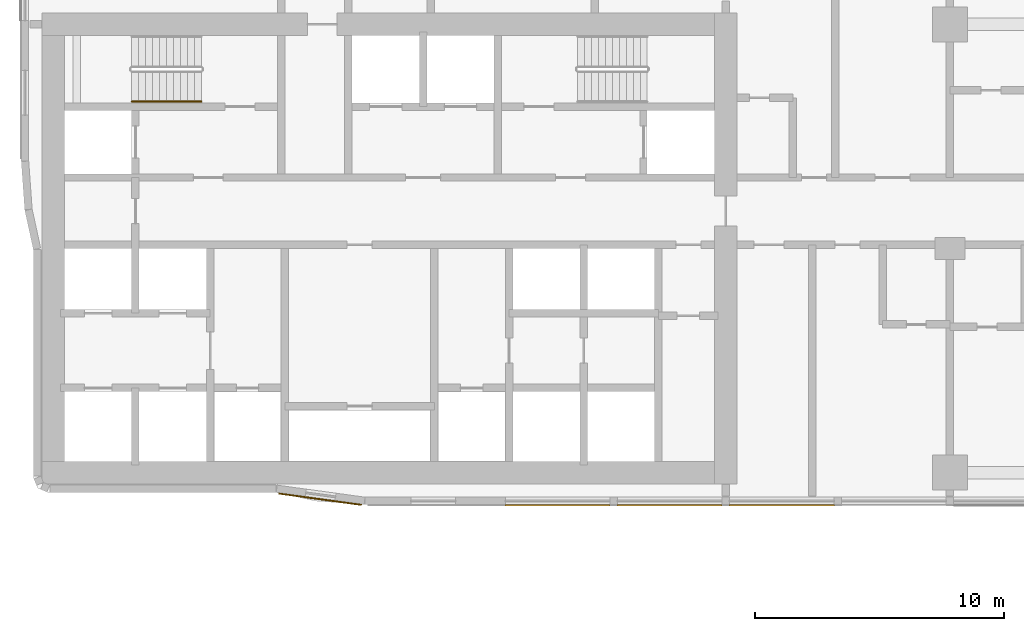
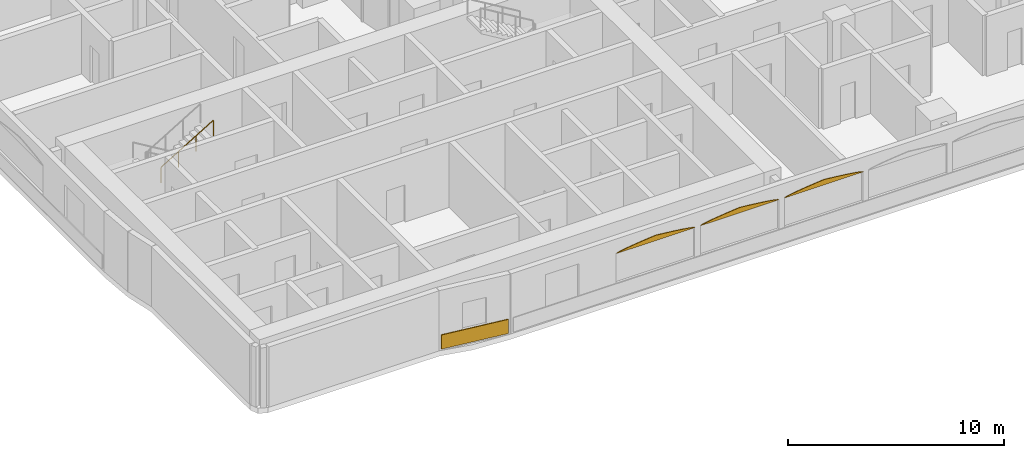
# One storey, part 30 of 36: 4 coverings, 1 railing.
"""IFC4 building model written with IfcOpenShell, lengths in metres."""

from ifc_helpers import new_model, si_unit, direction, frame, origin, origin_2d, place, context, subcontext, project, spatial, polyline, rectangle, circle, outline, extrude, material, layer, layer_set, type_object, element, save


model = new_model("IFC4")

# Units and contexts
model_context = context("Model", 3, precision=1e-05, world=origin(), true_north=direction((0.0, 1.0)))
body_context = subcontext(model_context, "Body", "Model", "MODEL_VIEW")
ifc_project = project(units=[si_unit("LENGTHUNIT", "METRE"), si_unit("AREAUNIT", "SQUARE_METRE"), si_unit("VOLUMEUNIT", "CUBIC_METRE"), si_unit("PLANEANGLEUNIT", "RADIAN"), si_unit("MASSUNIT", "GRAM", prefix="KILO")], contexts=[model_context])

# Site, building, storey
site_placement = place(None, origin())
site = spatial("IfcSite", under=ifc_project, at=site_placement, CompositionType="ELEMENT")
building_placement = place(site_placement, origin())
building = spatial("IfcBuilding", under=site, at=building_placement, Name="Ogive Portal Towers", CompositionType="ELEMENT")
storey_placement = place(building_placement, frame((0.0, 0.0, 48.300048828125)))
storey = spatial("IfcBuildingStorey", under=building, at=storey_placement, Name="L10", CompositionType="ELEMENT", Elevation=48.300048828125)

# Railing
ifc_material_1 = material(Name="Stainless steel handrail", Category="steel")
railing_type = type_object("IfcRailingType", Name="INT-HANDRAIL", PredefinedType="HANDRAIL", material=ifc_material_1)
railing_placement = place(storey_placement, frame((34.64990234375, 36.39990234375, 2.01806640625)))
element("IfcRailing", 1, at=railing_placement, inside=storey, type_object=railing_type, Name="L10 ST-A1 stair handrail 2", PredefinedType="HANDRAIL", context=body_context, shape_type="SweptSolid", body=[
    extrude(circle(Radius=0.02392578125, at=origin_2d()), frame((0.0, 0.0, 0.8759765625), z_axis=(0.857242210791, 0.0, 0.514913383045), x_axis=(0.0, 1.0, 0.0)), (0.0, 0.0, 1.0), 3.266357421875),
    extrude(circle(Radius=0.02099609375, at=origin_2d()), origin(), (0.0, 0.0, 1.0), 0.851806640625),
    extrude(circle(Radius=0.02099609375, at=origin_2d()), frame((0.933349609375, 0.0, 0.560546875)), (0.0, 0.0, 1.0), 0.851806640625),
    extrude(circle(Radius=0.02099609375, at=origin_2d()), frame((1.86669921875, 0.0, 1.121337890625)), (0.0, 0.0, 1.0), 0.851806640625),
    extrude(circle(Radius=0.02099609375, at=origin_2d()), frame((2.800048828125, 0.0, 1.681884765625)), (0.0, 0.0, 1.0), 0.851806640625),
])

# Coverings
ifc_material_2 = material(Name="Limestone cladding on lightweight block wall", Category="masonry")
ifc_layer_1 = layer(ifc_material_2, 0.0400390625)
ifc_layer_set_1 = layer_set([ifc_layer_1], Name="LANCET HEAD STONE")
covering_type_1 = type_object("IfcCoveringType", Name="LANCET HEAD STONE", PredefinedType="CLADDING", material=ifc_layer_set_1)
for number, where, z_axis, x_axis, name in (
    (2, (49.64990234375, 20.215087890625, 2.599853515625), (0.0, 0.999943573838, 0.010623047596), (1.0, 0.0, 0.0), "Lancet head"),
    (3, (54.14990234375, 20.215087890625, 2.599853515625), (0.0, 0.999943573838, 0.010623047596), (1.0, 0.0, 0.0), "Lancet head"),
    (4, (58.64990234375, 20.215087890625, 2.599853515625), (0.0, 0.999943573838, 0.010623047596), (1.0, 0.0, 0.0), "Lancet head"),
):
    element("IfcCovering", number, at=place(storey_placement, frame(where, z_axis=z_axis, x_axis=x_axis)), inside=storey, type_object=covering_type_1, Name=name, PredefinedType="CLADDING", context=body_context, shape_type="SweptSolid", body=[
        extrude(outline(polyline([(0.0, 0.0), (4.2001953125, 0.0), (4.107177734375, -0.03760072179351402), (3.9375, -0.07519885006954846), (3.7177734375, -0.11255544501398096), (3.45751953125, -0.150156166807495), (3.162353515625, -0.1875101682344479), (2.836181640625, -0.22511089002796192), (2.481201171875, -0.2627090183039964), (2.10009765625, -0.3000656132484289), (1.718994140625, -0.2627090183039964), (1.364013671875, -0.22511089002796192), (1.037841796875, -0.1875101682344479), (0.74267578125, -0.150156166807495), (0.482421875, -0.11255544501398096), (0.2626953125, -0.07519885006954846), (0.093017578125, -0.03760072179351402), (0.0, 0.0)])), origin(), (0.0, 0.0, -1.0), 0.0400390625),
    ])
ifc_layer_2 = layer(ifc_material_2, 0.050048828125)
ifc_layer_set_2 = layer_set([ifc_layer_2], Name="SCREEN PERFORATED STONE")
covering_type_2 = type_object("IfcCoveringType", Name="SCREEN PERFORATED STONE", PredefinedType="CLADDING", material=ifc_layer_set_2)
covering_placement = place(storey_placement, frame((42.21337890625, 20.43408203125, 0.10009765625), z_axis=(0.0, 0.0, 1.0), x_axis=(0.990777310626, -0.135500261066, 0.0)))
element("IfcCovering", 5, at=covering_placement, inside=storey, type_object=covering_type_2, Name="Tracery screen", PredefinedType="CLADDING", context=body_context, shape_type="SweptSolid", body=[
    extrude(rectangle(XDim=3.35888671875, YDim=0.050048828125, at=origin_2d()), origin(), (0.0, 0.0, 1.0), 0.800048828125),
])

save(model, "model.ifc")
